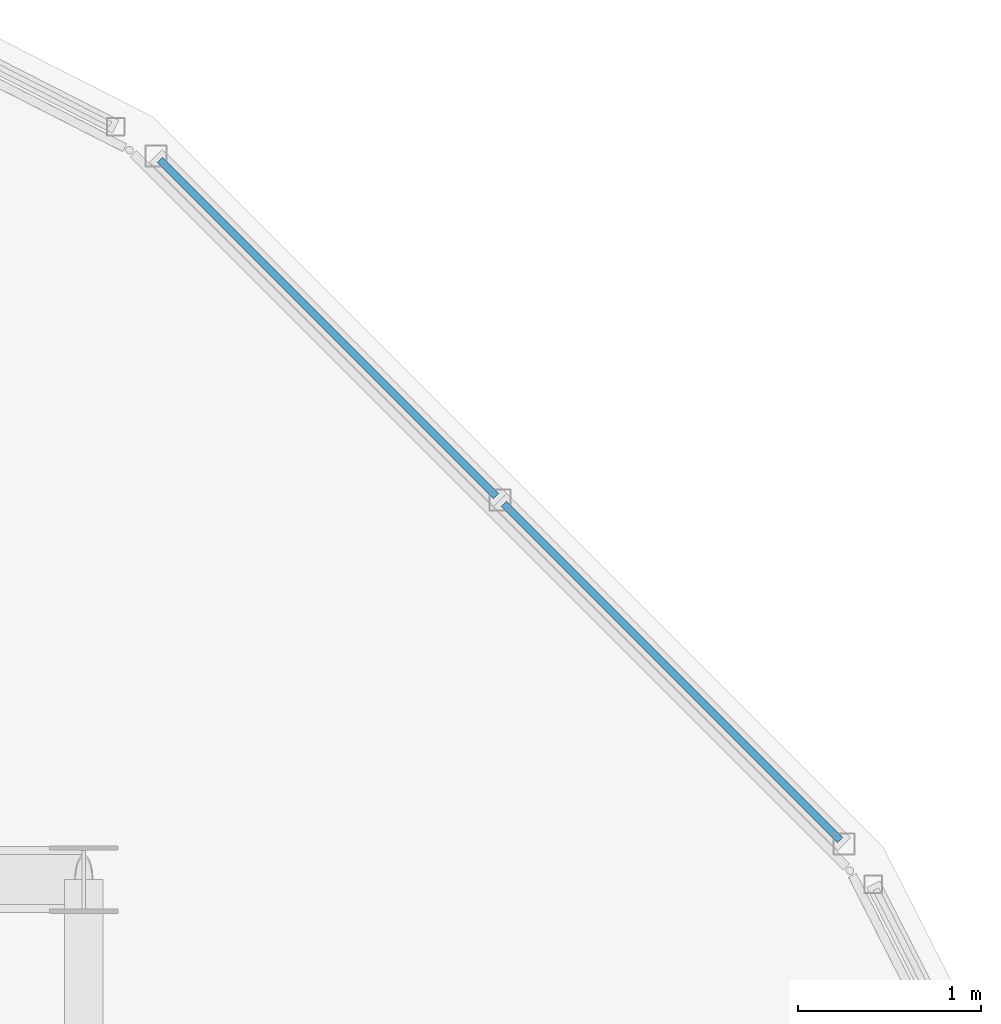
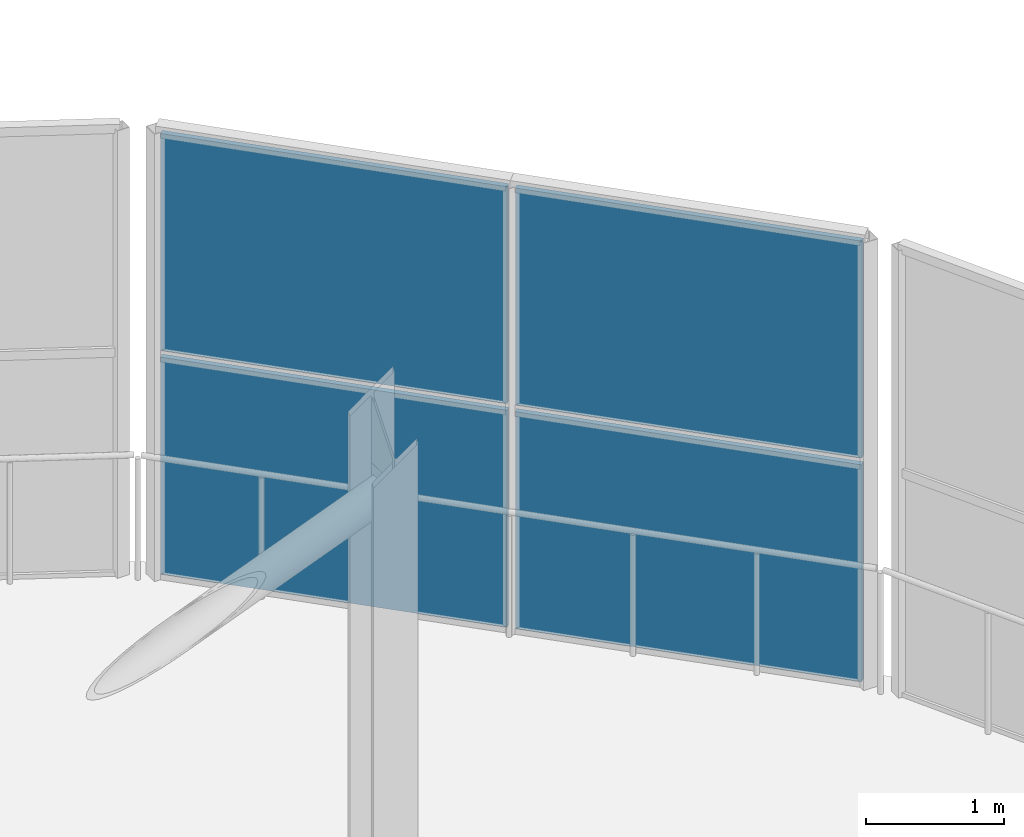
# One storey, part 175 of 217: 4 plates, 1 element without a shape of its own.
"""IFC4 building model written with IfcOpenShell, lengths in metres."""

import ifcopenshell
import ifcopenshell.guid

model = None  # the IFC model being written
_history = None  # IfcOwnerHistory: only IFC2X3 demands one
_inside = {}  # id of a spatial element -> (the spatial element, [elements in it])
_under = {}  # id of a project, library or spatial element -> (it, [spatial elements below it])
_declared = {}  # id of a project -> (the project, [libraries it declares])
_typed = {}  # id of a type object -> (the type object, [elements of that type])
_made_of = {}  # id of a material, layer set ... -> (it, [elements and type objects made of it])


def new_model(schema):
    """Start an empty IFC model of exactly this schema.

    Asked for "IFC4X3", IfcOpenShell would pick the latest addendum, in which some entities
    have other attributes; the version numbers below select the first issue.
    IFC2X3 requires an IfcOwnerHistory on every rooted entity: one is made here for all.
    """
    global model, _history
    if schema == "IFC4X3":
        model = ifcopenshell.file(schema_version=(4, 3, 0, 0))
    else:
        model = ifcopenshell.file(schema=schema)
    _inside.clear()
    _under.clear()
    _declared.clear()
    _typed.clear()
    _made_of.clear()
    _history = None
    if model.schema == "IFC2X3":
        org = make("IfcOrganization", Name="unknown")
        user = make(
            "IfcPersonAndOrganization",
            ThePerson=make("IfcPerson", FamilyName="unknown"),
            TheOrganization=org,
        )
        app = make(
            "IfcApplication",
            ApplicationDeveloper=org,
            Version="unknown",
            ApplicationFullName="unknown",
            ApplicationIdentifier="unknown",
        )
        _history = make(
            "IfcOwnerHistory",
            OwningUser=user,
            OwningApplication=app,
            ChangeAction="ADDED",
            CreationDate=0,
        )
    return model


def make(cls, **values):
    """One entity of the class cls with the attributes given. An attribute that is None is left unset."""
    return model.create_entity(
        cls, **{name: value for name, value in values.items() if value is not None}
    )


def rooted(cls, **values):
    """An entity with a GlobalId (a new one), such as an element, a storey or a relation."""
    return make(cls, GlobalId=ifcopenshell.guid.new(), OwnerHistory=_history, **values)


def si_unit(unit_type, name, prefix=None):
    """IfcSIUnit, for example si_unit("LENGTHUNIT", "METRE", prefix="MILLI")."""
    return make("IfcSIUnit", UnitType=unit_type, Prefix=prefix, Name=name)


def assignment(units):
    """IfcUnitAssignment: the units of a project."""
    return None if units is None else make("IfcUnitAssignment", Units=units)


def point(xyz):
    """IfcCartesianPoint."""
    return None if xyz is None else make("IfcCartesianPoint", Coordinates=xyz)


def direction(xyz):
    """IfcDirection."""
    return None if xyz is None else make("IfcDirection", DirectionRatios=xyz)


def frame(location, z_axis=None, x_axis=None):
    """IfcAxis2Placement3D, a coordinate frame: its origin and axes. An axis left out is left unset."""
    return make(
        "IfcAxis2Placement3D",
        Location=point(location),
        Axis=direction(z_axis),
        RefDirection=direction(x_axis),
    )


def frame_2d(location, x_axis=None):
    """IfcAxis2Placement2D, a coordinate frame in the plane: its origin and x axis."""
    return make(
        "IfcAxis2Placement2D", Location=point(location), RefDirection=direction(x_axis)
    )


def origin():
    """The frame at (0, 0, 0) with its axes left unset."""
    return frame((0.0, 0.0, 0.0))


def origin_2d():
    """The frame at (0, 0) in the plane with its x axis left unset."""
    return frame_2d((0.0, 0.0))


def place(relative_to, where):
    """IfcLocalPlacement: puts the frame where relative to a parent placement (None: the world)."""
    return make(
        "IfcLocalPlacement", PlacementRelTo=relative_to, RelativePlacement=where
    )


def context(
    kind, dimensions, precision=None, world=None, true_north=None, identifier=None
):
    """IfcGeometricRepresentationContext, for example the 3D "Model" context."""
    return make(
        "IfcGeometricRepresentationContext",
        ContextIdentifier=identifier,
        ContextType=kind,
        CoordinateSpaceDimension=dimensions,
        Precision=precision,
        WorldCoordinateSystem=world,
        TrueNorth=true_north,
    )


def subcontext(parent, identifier, kind, view, scale=None):
    """IfcGeometricRepresentationSubContext, for example "Body" below "Model"."""
    return make(
        "IfcGeometricRepresentationSubContext",
        ContextIdentifier=identifier,
        ContextType=kind,
        ParentContext=parent,
        TargetScale=scale,
        TargetView=view,
    )


def project(units=None, contexts=None):
    """IfcProject with its units and contexts."""
    return rooted(
        "IfcProject",
        Name="project",
        RepresentationContexts=contexts,
        UnitsInContext=assignment(units),
    )


def spatial(cls, under=None, at=None, **own):
    """A site, building, storey or space (cls), placed at a placement, below another one or the project."""
    s = rooted(cls, ObjectPlacement=at, **own)
    if under is not None:
        _under.setdefault(under.id(), (under, []))[1].append(s)
    return s


def profile(cls, at=None, kind="AREA", **sizes):
    """A parametric profile (cls). Its sizes go by their IFC names, for example OverallWidth=200.0."""
    return make(cls, ProfileType=kind, Position=at, **sizes)


def rectangle(**sizes):
    """IfcRectangleProfileDef."""
    return profile("IfcRectangleProfileDef", **sizes)


def extrude(swept, where, along, depth):
    """IfcExtrudedAreaSolid: the profile swept, set in the frame where, extruded along a direction by depth."""
    return make(
        "IfcExtrudedAreaSolid",
        SweptArea=swept,
        Position=where,
        ExtrudedDirection=direction(along),
        Depth=depth,
    )


def shape(context_of_items, identifier, shape_type, items):
    """IfcShapeRepresentation: the items that make up one representation, for example the "Body"."""
    return make(
        "IfcShapeRepresentation",
        ContextOfItems=context_of_items,
        RepresentationIdentifier=identifier,
        RepresentationType=shape_type,
        Items=items,
    )


def material(Name=None, Category=None):
    """IfcMaterial."""
    return make("IfcMaterial", Name=Name, Category=Category)


def layer(
    of_material, thickness, ventilated=None, Name=None, Category=None, Priority=None
):
    """IfcMaterialLayer: one layer of a wall or slab, of a material (None: an air gap)."""
    return make(
        "IfcMaterialLayer",
        Material=of_material,
        LayerThickness=thickness,
        IsVentilated=ventilated,
        Name=Name,
        Category=Category,
        Priority=Priority,
    )


def layer_set(layers, Name=None):
    """IfcMaterialLayerSet."""
    return make("IfcMaterialLayerSet", MaterialLayers=layers, LayerSetName=Name)


def made_of(thing, what):
    """Note that an element or type object is made of a material, layer set ...; save() writes the relation."""
    if what is not None:
        _made_of.setdefault(what.id(), (what, []))[1].append(thing)
    return thing


def type_object(cls, material=None, **own):
    """A type object (cls), such as IfcWallType, which elements share."""
    return made_of(rooted(cls, **own), material)


def element(
    cls,
    number,
    at=None,
    inside=None,
    cuts=None,
    type_object=None,
    material=None,
    context=None,
    identifier="Body",
    shape_type=None,
    held_by="IfcProductDefinitionShape",
    body=None,
    shapes=None,
    **own,
):
    """One element of the class cls, such as IfcWall. Its Tag is "e" and its number.

    at: its placement. inside: the storey or other place that contains it. cuts: it is an
    opening in that element (IfcRelVoidsElement). A single representation is given by context,
    identifier, shape_type and body (its items); several are given by shapes. held_by: the class
    of the entity that holds the representations. save() writes the other relations.
    """
    e = rooted(cls, Tag="e%d" % number, ObjectPlacement=at, **own)
    if body is not None:
        shapes = [shape(context, identifier, shape_type, body)]
    if shapes is not None:
        e.Representation = make(held_by, Representations=shapes)
    if inside is not None:
        _inside.setdefault(inside.id(), (inside, []))[1].append(e)
    if cuts is not None:
        rooted(
            "IfcRelVoidsElement", RelatingBuildingElement=cuts, RelatedOpeningElement=e
        )
    if type_object is not None:
        _typed.setdefault(type_object.id(), (type_object, []))[1].append(e)
    return made_of(e, material)


def aggregate(whole, parts):
    """IfcRelAggregates: a whole, such as a stair, and the parts it consists of."""
    return rooted("IfcRelAggregates", RelatingObject=whole, RelatedObjects=parts)


def save(model, path):
    """Write the relations noted so far, then the file.

    IfcRelAggregates (storeys below a building ...), IfcRelContainedInSpatialStructure (elements
    in a storey), IfcRelDefinesByType, IfcRelAssociatesMaterial and IfcRelDeclares: one each for
    every whole, place, type object, material and project.
    """
    for whole, parts in _under.values():
        aggregate(whole, parts)
    for where, things in _inside.values():
        rooted(
            "IfcRelContainedInSpatialStructure",
            RelatedElements=things,
            RelatingStructure=where,
        )
    for kind, things in _typed.values():
        rooted("IfcRelDefinesByType", RelatedObjects=things, RelatingType=kind)
    for what, things in _made_of.values():
        rooted("IfcRelAssociatesMaterial", RelatedObjects=things, RelatingMaterial=what)
    for by, libraries in _declared.values():
        rooted("IfcRelDeclares", RelatingContext=by, RelatedDefinitions=libraries)
    model.write(path)


model = new_model("IFC4")

# Units and contexts
model_context = context("Model", 3, precision=1e-05, world=origin(), true_north=direction((0.0, 1.0)))
body_context = subcontext(model_context, "Body", "Model", "MODEL_VIEW")
ifc_project = project(units=[si_unit("LENGTHUNIT", "METRE"), si_unit("AREAUNIT", "SQUARE_METRE"), si_unit("VOLUMEUNIT", "CUBIC_METRE"), si_unit("PLANEANGLEUNIT", "RADIAN"), si_unit("MASSUNIT", "GRAM", prefix="KILO")], contexts=[model_context])

# Site, building, storey
site_placement = place(None, origin())
site = spatial("IfcSite", under=ifc_project, at=site_placement, CompositionType="ELEMENT")
building_placement = place(site_placement, origin())
building = spatial("IfcBuilding", under=site, at=building_placement, Name="Zuvorla Pavilion Media Centre", CompositionType="ELEMENT")
storey_placement = place(building_placement, frame((0.0, 0.0, 9.60009765625)))
storey = spatial("IfcBuildingStorey", under=building, at=storey_placement, Name="L02", CompositionType="ELEMENT", Elevation=9.60009765625)

# Curtain wall, plates
ifc_material_1 = material(Name="Unitised anodised aluminium and solar glass curtain wall", Category="aluminium")
curtain_wall_type = type_object("IfcCurtainWallType", Name="CW-SYS-03", PredefinedType="USERDEFINED", material=ifc_material_1)
curtain_wall_placement = place(storey_placement, origin())
curtain_wall = element("IfcCurtainWall", 1, at=curtain_wall_placement, inside=storey, type_object=curtain_wall_type, Name="L02 curtain wall CW03 9", ObjectType="CURTAIN WALL", PredefinedType="USERDEFINED")
ifc_material_2 = material(Name="Triple acoustic broadcast glazing", Category="glass")
ifc_layer = layer(ifc_material_2, 0.0419921875)
ifc_layer_set = layer_set([ifc_layer], Name="Triple acoustic broadcast glazing")
plate_type = type_object("IfcPlateType", Name="CW-PNL-42", PredefinedType="CURTAIN_PANEL", material=ifc_layer_set)
plate_1_placement = place(storey_placement, frame((170.811279296875, 83.13330078125, 0.02978515625), z_axis=(0.0, 0.0, 1.0), x_axis=(-0.707106781187, 0.707106781187, 0.0)))
plate_1 = element("IfcPlate", 2, at=plate_1_placement, type_object=plate_type, Name="CW03 panel 1.1", PredefinedType="CURTAIN_PANEL", context=body_context, shape_type="SweptSolid", body=[
    extrude(rectangle(XDim=2.595947265625, YDim=0.0419921875, at=origin_2d()), origin(), (0.0, 0.0, 1.0), 1.9150390625),
])
plate_2_placement = place(storey_placement, frame((170.811279296875, 83.13330078125, 2.0048828125), z_axis=(0.0, 0.0, 1.0), x_axis=(-0.707106781187, 0.707106781187, 0.0)))
plate_2 = element("IfcPlate", 3, at=plate_2_placement, type_object=plate_type, Name="CW03 panel 1.2", PredefinedType="CURTAIN_PANEL", context=body_context, shape_type="SweptSolid", body=[
    extrude(rectangle(XDim=2.595947265625, YDim=0.0419921875, at=origin_2d()), origin(), (0.0, 0.0, 1.0), 1.9150390625),
])
plate_3_placement = place(storey_placement, frame((168.93310546875, 85.01123046875, 0.02978515625), z_axis=(0.0, 0.0, 1.0), x_axis=(-0.707106781187, 0.707106781187, 0.0)))
plate_3 = element("IfcPlate", 4, at=plate_3_placement, type_object=plate_type, Name="CW03 panel 2.1", PredefinedType="CURTAIN_PANEL", context=body_context, shape_type="SweptSolid", body=[
    extrude(rectangle(XDim=2.595947265625, YDim=0.0419921875, at=origin_2d()), origin(), (0.0, 0.0, 1.0), 1.9150390625),
])
plate_4_placement = place(storey_placement, frame((168.93310546875, 85.01123046875, 2.0048828125), z_axis=(0.0, 0.0, 1.0), x_axis=(-0.707106781187, 0.707106781187, 0.0)))
plate_4 = element("IfcPlate", 5, at=plate_4_placement, type_object=plate_type, Name="CW03 panel 2.2", PredefinedType="CURTAIN_PANEL", context=body_context, shape_type="SweptSolid", body=[
    extrude(rectangle(XDim=2.595947265625, YDim=0.0419921875, at=origin_2d()), origin(), (0.0, 0.0, 1.0), 1.9150390625),
])
aggregate(curtain_wall, [plate_1, plate_2, plate_3, plate_4])

save(model, "model.ifc")
